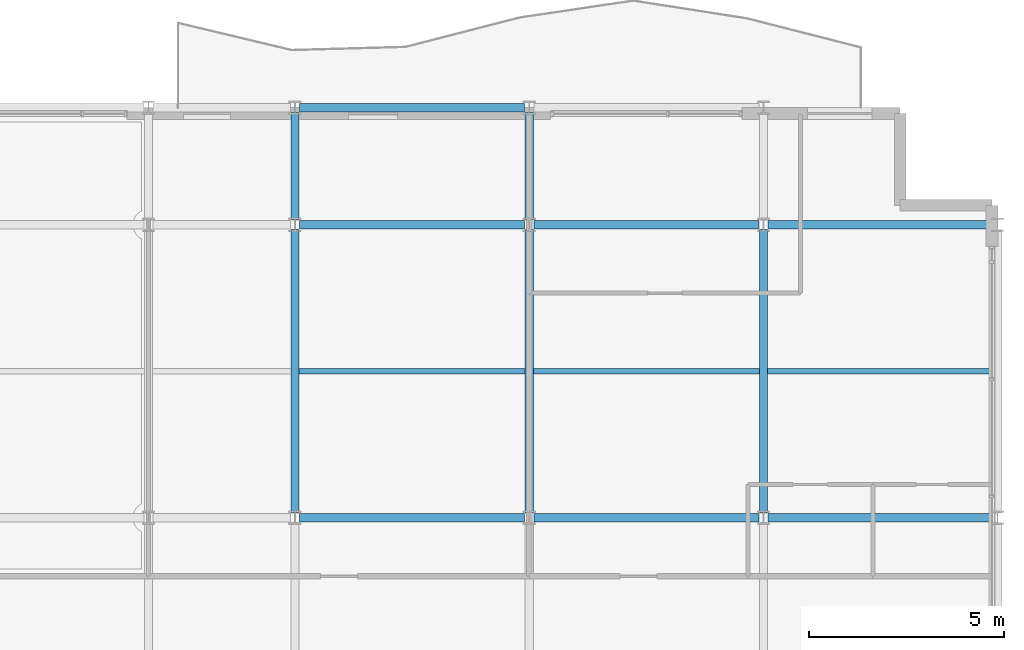
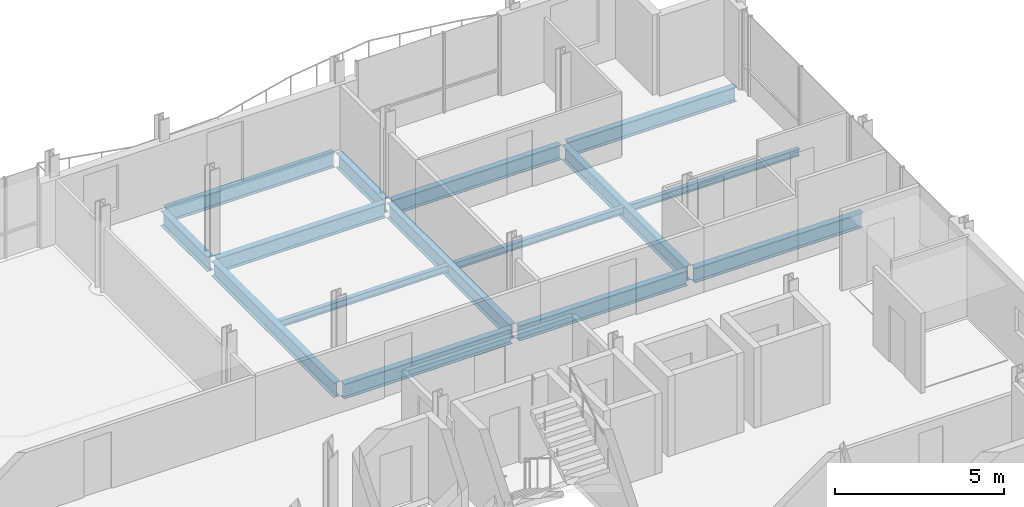
# One storey, part 3 of 12: 15 beams.
"""IFC4 building model written with IfcOpenShell, lengths in metres."""

from ifc_helpers import new_model, si_unit, direction, frame, origin, origin_2d, place, context, subcontext, project, spatial, i_section, extrude, material, material_profile, profile_set, type_object, element, save


model = new_model("IFC4")

# Units and contexts
model_context = context("Model", 3, precision=1e-05, world=origin(), true_north=direction((0.0, 1.0)))
body_context = subcontext(model_context, "Body", "Model", "MODEL_VIEW")
ifc_project = project(units=[si_unit("LENGTHUNIT", "METRE"), si_unit("AREAUNIT", "SQUARE_METRE"), si_unit("VOLUMEUNIT", "CUBIC_METRE"), si_unit("PLANEANGLEUNIT", "RADIAN"), si_unit("MASSUNIT", "GRAM", prefix="KILO")], contexts=[model_context])

# Site, building, storey
site_placement = place(None, origin())
site = spatial("IfcSite", under=ifc_project, at=site_placement, CompositionType="ELEMENT")
building_placement = place(site_placement, origin())
building = spatial("IfcBuilding", under=site, at=building_placement, Name="Brevholm Reach", CompositionType="ELEMENT")
storey_placement = place(building_placement, frame((0.0, 0.0, 233.5)))
storey = spatial("IfcBuildingStorey", under=building, at=storey_placement, Name="L71", CompositionType="ELEMENT", Elevation=233.5)

# Beams
ifc_material_1 = material(Name="Structural Steel S355J2", Category="steel")
ifc_material_profile_1 = material_profile(ifc_material_1, i_section(OverallWidth=0.14599609375, OverallDepth=0.25146484375, WebThickness=0.006103515625, FlangeThickness=0.008544921875, FilletRadius=0.007568359375, at=origin_2d()), Name="UKB 254x146x31")
ifc_profile_set_1 = profile_set([ifc_material_profile_1], Name="Structural Steel S355J2")
beam_type_1 = type_object("IfcBeamType", Name="BM-B254", PredefinedType="BEAM", material=ifc_profile_set_1)
for number, where, z_axis, x_axis, name in (
    (1, (42.10546875, 19.75, -0.335693359375), (1.0, 0.0, 0.0), (0.0, 1.0, 0.0), "L71 Composite Secondary Floor Beam"),
    (2, (48.10546875, 19.75, -0.335693359375), (1.0, 0.0, 0.0), (0.0, 1.0, 0.0), "L71 Composite Secondary Floor Beam"),
):
    element("IfcBeam", number, at=place(storey_placement, frame(where, z_axis=z_axis, x_axis=x_axis)), inside=storey, type_object=beam_type_1, Name=name, PredefinedType="BEAM", context=body_context, shape_type="SweptSolid", body=[
        extrude(i_section(OverallWidth=0.14599609375, OverallDepth=0.25146484375, WebThickness=0.006103515625, FlangeThickness=0.008544921875, FilletRadius=0.007568359375, at=origin_2d()), origin(), (0.0, 0.0, 1.0), 5.7890625),
    ])
beam_1_placement = place(storey_placement, frame((54.10546875, 19.75, -0.335693359375), z_axis=(1.0, 0.0, 0.0), x_axis=(0.0, 1.0, 0.0)))
element("IfcBeam", 3, at=beam_1_placement, inside=storey, type_object=beam_type_1, Name="L71 Composite Secondary Floor Beam", PredefinedType="BEAM", context=body_context, shape_type="SweptSolid", body=[
    extrude(i_section(OverallWidth=0.14599609375, OverallDepth=0.25146484375, WebThickness=0.006103515625, FlangeThickness=0.008544921875, FilletRadius=0.007568359375, at=origin_2d()), origin(), (0.0, 0.0, 1.0), 5.789794921875),
])
ifc_material_2 = material(Name="Structural Steel S355J2", Category="steel")
ifc_material_profile_2 = material_profile(ifc_material_2, i_section(OverallWidth=0.209228515625, OverallDepth=0.533203125, WebThickness=0.010009765625, FlangeThickness=0.015625, FilletRadius=0.0126953125, at=origin_2d()), Name="UKB 533x210x92")
ifc_profile_set_2 = profile_set([ifc_material_profile_2], Name="Structural Steel S355J2")
beam_type_2 = type_object("IfcBeamType", Name="BM-SP533", PredefinedType="SPANDREL", material=ifc_profile_set_2)
beam_2_placement = place(storey_placement, frame((42.1201171875, 26.5, -0.4765625), z_axis=(1.0, 0.0, 0.0), x_axis=(0.0, 1.0, 0.0)))
element("IfcBeam", 4, at=beam_2_placement, inside=storey, type_object=beam_type_2, Name="L71 SP-02 Framing Beam", PredefinedType="SPANDREL", context=body_context, shape_type="SweptSolid", body=[
    extrude(i_section(OverallWidth=0.209228515625, OverallDepth=0.533203125, WebThickness=0.010009765625, FlangeThickness=0.015625, FilletRadius=0.0126953125, at=origin_2d()), origin(), (0.0, 0.0, 1.0), 5.759765625),
])
ifc_material_3 = material(Name="Structural Steel S355J2", Category="steel")
ifc_material_profile_3 = material_profile(ifc_material_3, i_section(OverallWidth=0.210693359375, OverallDepth=0.53955078125, WebThickness=0.01171875, FlangeThickness=0.018798828125, FilletRadius=0.0126953125, at=origin_2d()), Name="UKB 533x210x109")
ifc_profile_set_3 = profile_set([ifc_material_profile_3], Name="Structural Steel S355J2")
beam_type_3 = type_object("IfcBeamType", Name="BM-SP539", PredefinedType="SPANDREL", material=ifc_profile_set_3)
for number, where, z_axis, x_axis, name in (
    (5, (42.1201171875, 16.0, -0.479736328125), (1.0, 0.0, 0.0), (0.0, 1.0, 0.0), "L71 SP-01B Framing Beam"),
    (6, (48.1201171875, 16.0, -0.479736328125), (1.0, 0.0, 0.0), (0.0, 1.0, 0.0), "L71 SP-01B Framing Beam"),
    (7, (54.1201171875, 16.0, -0.479736328125), (1.0, 0.0, 0.0), (0.0, 1.0, 0.0), "L71 SP-01B Framing Beam"),
    (8, (42.1201171875, 23.5, -0.479736328125), (1.0, 0.0, 0.0), (0.0, 1.0, 0.0), "L71 SP-01B Framing Beam"),
    (9, (48.1201171875, 23.5, -0.479736328125), (1.0, 0.0, 0.0), (0.0, 1.0, 0.0), "L71 SP-01B Framing Beam"),
    (10, (54.1201171875, 23.5, -0.479736328125), (1.0, 0.0, 0.0), (0.0, 1.0, 0.0), "L71 SP-01B Framing Beam"),
):
    element("IfcBeam", number, at=place(storey_placement, frame(where, z_axis=z_axis, x_axis=x_axis)), inside=storey, type_object=beam_type_3, Name=name, PredefinedType="SPANDREL", context=body_context, shape_type="SweptSolid", body=[
        extrude(i_section(OverallWidth=0.210693359375, OverallDepth=0.53955078125, WebThickness=0.01171875, FlangeThickness=0.018798828125, FilletRadius=0.0126953125, at=origin_2d()), origin(), (0.0, 0.0, 1.0), 5.759765625),
    ])
beam_3_placement = place(storey_placement, frame((42.0, 16.1201171875, -0.479736328125), z_axis=(0.0, 1.0, 0.0), x_axis=(-1.0, 0.0, 0.0)))
element("IfcBeam", 11, at=beam_3_placement, inside=storey, type_object=beam_type_3, Name="L71 SP-01B Framing Beam", PredefinedType="SPANDREL", context=body_context, shape_type="SweptSolid", body=[
    extrude(i_section(OverallWidth=0.210693359375, OverallDepth=0.53955078125, WebThickness=0.01171875, FlangeThickness=0.018798828125, FilletRadius=0.0126953125, at=origin_2d()), origin(), (0.0, 0.0, 1.0), 7.259765625),
])
beam_4_placement = place(storey_placement, frame((42.0, 23.6201171875, -0.479736328125), z_axis=(0.0, 1.0, 0.0), x_axis=(-1.0, 0.0, 0.0)))
element("IfcBeam", 12, at=beam_4_placement, inside=storey, type_object=beam_type_3, Name="L71 SP-01B Framing Beam", PredefinedType="SPANDREL", context=body_context, shape_type="SweptSolid", body=[
    extrude(i_section(OverallWidth=0.210693359375, OverallDepth=0.53955078125, WebThickness=0.01171875, FlangeThickness=0.018798828125, FilletRadius=0.0126953125, at=origin_2d()), origin(), (0.0, 0.0, 1.0), 2.759765625),
])
beam_5_placement = place(storey_placement, frame((48.0, 16.1201171875, -0.479736328125), z_axis=(0.0, 1.0, 0.0), x_axis=(-1.0, 0.0, 0.0)))
element("IfcBeam", 13, at=beam_5_placement, inside=storey, type_object=beam_type_3, Name="L71 SP-01B Framing Beam", PredefinedType="SPANDREL", context=body_context, shape_type="SweptSolid", body=[
    extrude(i_section(OverallWidth=0.210693359375, OverallDepth=0.53955078125, WebThickness=0.01171875, FlangeThickness=0.018798828125, FilletRadius=0.0126953125, at=origin_2d()), origin(), (0.0, 0.0, 1.0), 7.259765625),
])
beam_6_placement = place(storey_placement, frame((48.0, 23.6201171875, -0.479736328125), z_axis=(0.0, 1.0, 0.0), x_axis=(-1.0, 0.0, 0.0)))
element("IfcBeam", 14, at=beam_6_placement, inside=storey, type_object=beam_type_3, Name="L71 SP-01B Framing Beam", PredefinedType="SPANDREL", context=body_context, shape_type="SweptSolid", body=[
    extrude(i_section(OverallWidth=0.210693359375, OverallDepth=0.53955078125, WebThickness=0.01171875, FlangeThickness=0.018798828125, FilletRadius=0.0126953125, at=origin_2d()), origin(), (0.0, 0.0, 1.0), 2.759765625),
])
beam_7_placement = place(storey_placement, frame((54.0, 16.1201171875, -0.479736328125), z_axis=(0.0, 1.0, 0.0), x_axis=(-1.0, 0.0, 0.0)))
element("IfcBeam", 15, at=beam_7_placement, inside=storey, type_object=beam_type_3, Name="L71 SP-01B Framing Beam", PredefinedType="SPANDREL", context=body_context, shape_type="SweptSolid", body=[
    extrude(i_section(OverallWidth=0.210693359375, OverallDepth=0.53955078125, WebThickness=0.01171875, FlangeThickness=0.018798828125, FilletRadius=0.0126953125, at=origin_2d()), origin(), (0.0, 0.0, 1.0), 7.259765625),
])

save(model, "model.ifc")
